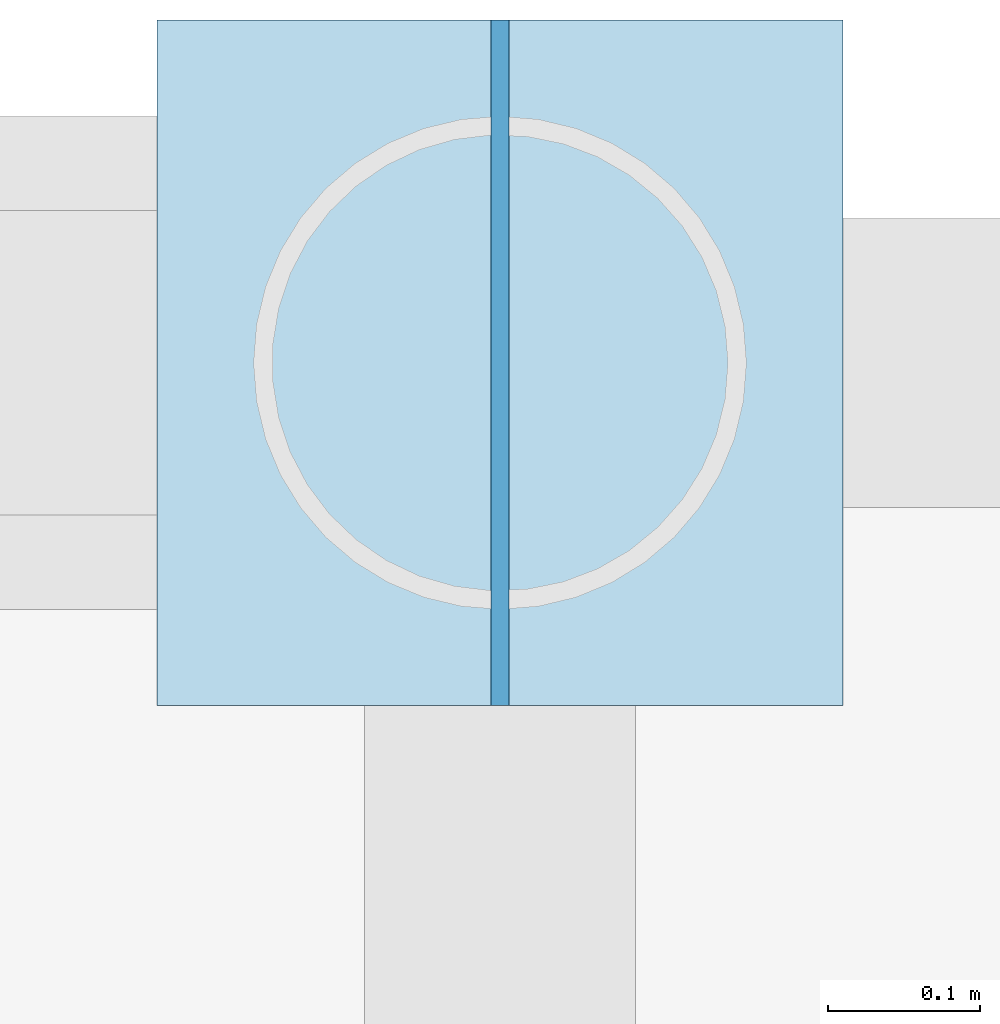
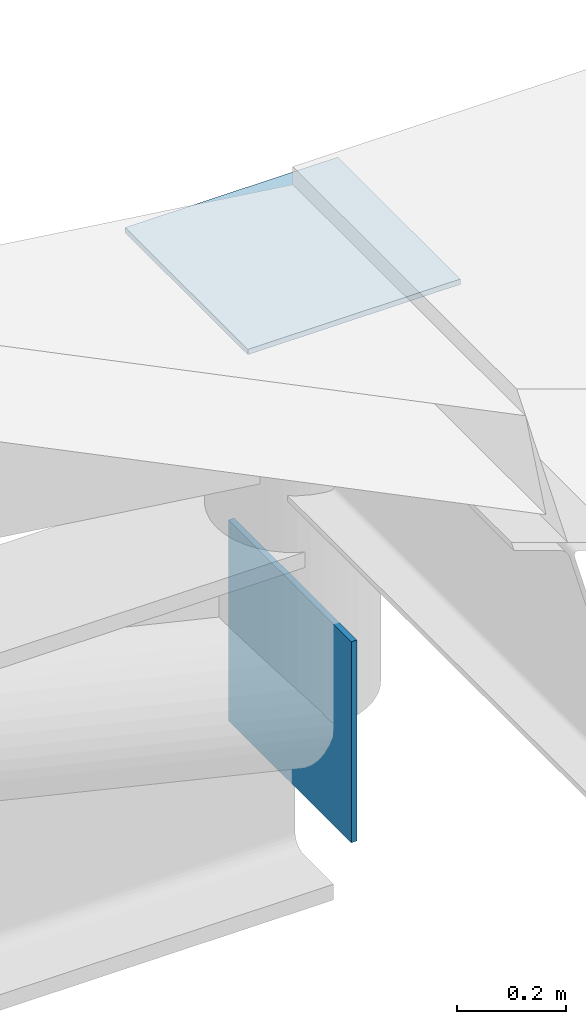
# One storey, part 11 of 11: 2 plates.
"""IFC4 building model written with IfcOpenShell, lengths in metres."""

from ifc_helpers import new_model, si_unit, direction, frame, origin, origin_2d, place, context, subcontext, project, spatial, rectangle, extrude, material, layer, layer_set, type_object, element, save


model = new_model("IFC4")

# Units and contexts
model_context = context("Model", 3, precision=1e-05, world=origin(), true_north=direction((0.0, 1.0)))
body_context = subcontext(model_context, "Body", "Model", "MODEL_VIEW")
ifc_project = project(units=[si_unit("LENGTHUNIT", "METRE"), si_unit("AREAUNIT", "SQUARE_METRE"), si_unit("VOLUMEUNIT", "CUBIC_METRE"), si_unit("PLANEANGLEUNIT", "RADIAN"), si_unit("MASSUNIT", "GRAM", prefix="KILO"), si_unit("THERMODYNAMICTEMPERATUREUNIT", "KELVIN"), si_unit("POWERUNIT", "WATT")], contexts=[model_context])

# Site, building, storey
site_placement = place(None, origin())
site = spatial("IfcSite", under=ifc_project, at=site_placement, CompositionType="ELEMENT")
building_placement = place(site_placement, origin())
building = spatial("IfcBuilding", under=site, at=building_placement, Name="Tembeka Court Mobility Hub", CompositionType="ELEMENT")
storey_placement = place(building_placement, frame((0.0, 0.0, 28.800048828125)))
storey = spatial("IfcBuildingStorey", under=building, at=storey_placement, Name="RF", CompositionType="ELEMENT", Elevation=28.800048828125)

# Plates
ifc_material = material(Name="Steel S355", Category="steel")
ifc_layer = layer(ifc_material, 0.011962890625)
ifc_layer_set = layer_set([ifc_layer], Name="Steel S355")
plate_type = type_object("IfcPlateType", Name="PL-NDP02", PredefinedType="USERDEFINED", material=ifc_layer_set)
plate_1_placement = place(storey_placement, frame((84.0, 80.39990234375, -1.375), z_axis=(0.0, 0.0, 1.0), x_axis=(1.0, 0.0, 0.0)))
element("IfcPlate", 1, at=plate_1_placement, inside=storey, type_object=plate_type, Name="Sports arch springing cast-in embed plate NDP02-6-B2", ObjectType="GUSSET PLATE", PredefinedType="USERDEFINED", context=body_context, shape_type="SweptSolid", body=[
    extrude(rectangle(XDim=0.011962890625, YDim=0.449951171875, at=origin_2d()), origin(), (0.0, 0.0, 1.0), 0.449951171875),
])
plate_2_placement = place(storey_placement, frame((84.0, 80.39990234375, -0.2060546875), z_axis=(0.0, 0.0, 1.0), x_axis=(1.0, 0.0, 0.0)))
element("IfcPlate", 2, at=plate_2_placement, inside=storey, type_object=plate_type, Name="Sports arch springing gusset plate NDP02-6-5", ObjectType="GUSSET PLATE", PredefinedType="USERDEFINED", context=body_context, shape_type="SweptSolid", body=[
    extrude(rectangle(XDim=0.449951171875, YDim=0.449951171875, at=origin_2d()), origin(), (0.0, 0.0, 1.0), 0.011962890625),
])

save(model, "model.ifc")
